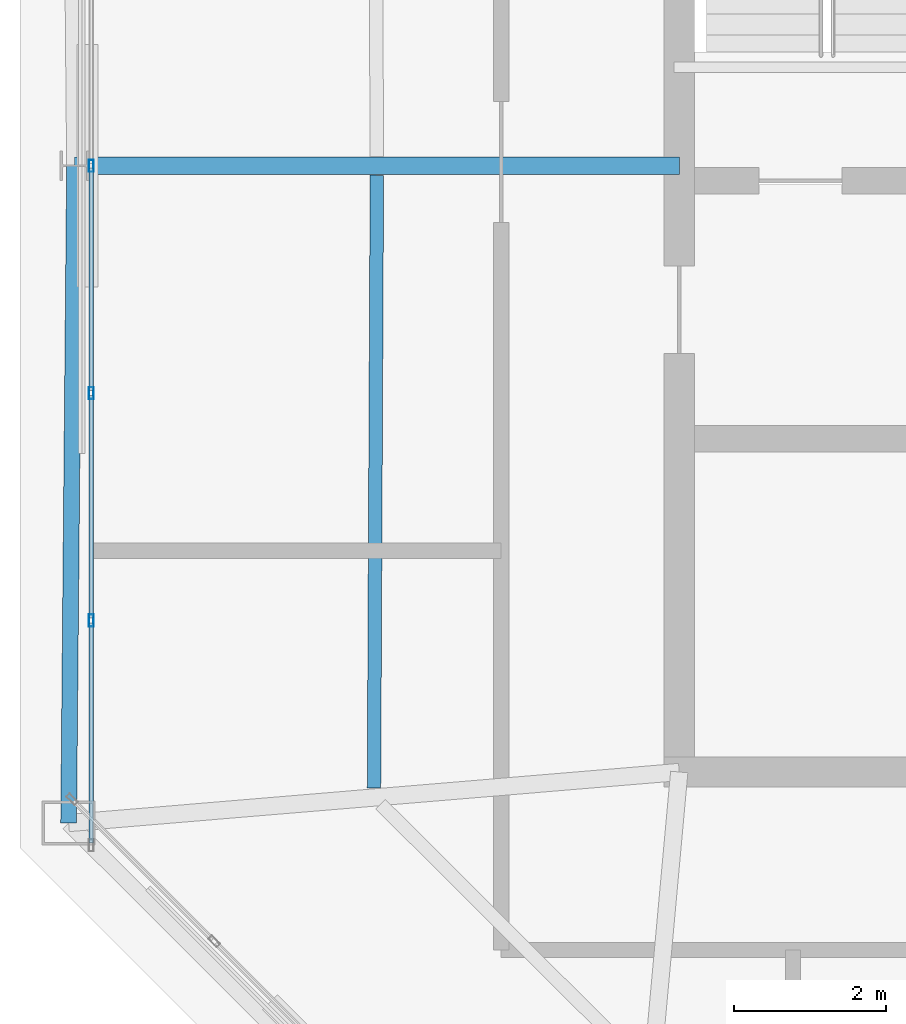
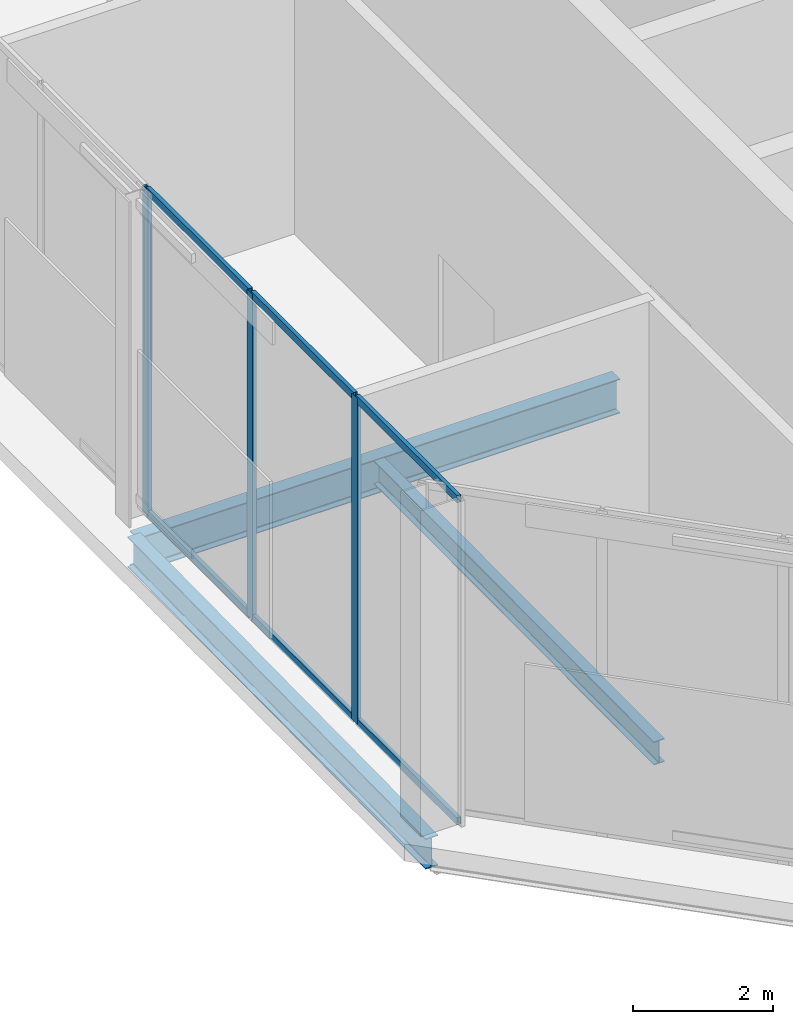
# One storey, part 4 of 20: 9 members, 3 beams, 1 element without a shape of its own.
"""IFC4 building model written with IfcOpenShell, lengths in metres."""

import ifcopenshell
import ifcopenshell.guid

model = None  # the IFC model being written
_history = None  # IfcOwnerHistory: only IFC2X3 demands one
_inside = {}  # id of a spatial element -> (the spatial element, [elements in it])
_under = {}  # id of a project, library or spatial element -> (it, [spatial elements below it])
_declared = {}  # id of a project -> (the project, [libraries it declares])
_typed = {}  # id of a type object -> (the type object, [elements of that type])
_made_of = {}  # id of a material, layer set ... -> (it, [elements and type objects made of it])


def new_model(schema):
    """Start an empty IFC model of exactly this schema.

    Asked for "IFC4X3", IfcOpenShell would pick the latest addendum, in which some entities
    have other attributes; the version numbers below select the first issue.
    IFC2X3 requires an IfcOwnerHistory on every rooted entity: one is made here for all.
    """
    global model, _history
    if schema == "IFC4X3":
        model = ifcopenshell.file(schema_version=(4, 3, 0, 0))
    else:
        model = ifcopenshell.file(schema=schema)
    _inside.clear()
    _under.clear()
    _declared.clear()
    _typed.clear()
    _made_of.clear()
    _history = None
    if model.schema == "IFC2X3":
        org = make("IfcOrganization", Name="unknown")
        user = make(
            "IfcPersonAndOrganization",
            ThePerson=make("IfcPerson", FamilyName="unknown"),
            TheOrganization=org,
        )
        app = make(
            "IfcApplication",
            ApplicationDeveloper=org,
            Version="unknown",
            ApplicationFullName="unknown",
            ApplicationIdentifier="unknown",
        )
        _history = make(
            "IfcOwnerHistory",
            OwningUser=user,
            OwningApplication=app,
            ChangeAction="ADDED",
            CreationDate=0,
        )
    return model


def make(cls, **values):
    """One entity of the class cls with the attributes given. An attribute that is None is left unset."""
    return model.create_entity(
        cls, **{name: value for name, value in values.items() if value is not None}
    )


def rooted(cls, **values):
    """An entity with a GlobalId (a new one), such as an element, a storey or a relation."""
    return make(cls, GlobalId=ifcopenshell.guid.new(), OwnerHistory=_history, **values)


def si_unit(unit_type, name, prefix=None):
    """IfcSIUnit, for example si_unit("LENGTHUNIT", "METRE", prefix="MILLI")."""
    return make("IfcSIUnit", UnitType=unit_type, Prefix=prefix, Name=name)


def assignment(units):
    """IfcUnitAssignment: the units of a project."""
    return None if units is None else make("IfcUnitAssignment", Units=units)


def point(xyz):
    """IfcCartesianPoint."""
    return None if xyz is None else make("IfcCartesianPoint", Coordinates=xyz)


def direction(xyz):
    """IfcDirection."""
    return None if xyz is None else make("IfcDirection", DirectionRatios=xyz)


def frame(location, z_axis=None, x_axis=None):
    """IfcAxis2Placement3D, a coordinate frame: its origin and axes. An axis left out is left unset."""
    return make(
        "IfcAxis2Placement3D",
        Location=point(location),
        Axis=direction(z_axis),
        RefDirection=direction(x_axis),
    )


def frame_2d(location, x_axis=None):
    """IfcAxis2Placement2D, a coordinate frame in the plane: its origin and x axis."""
    return make(
        "IfcAxis2Placement2D", Location=point(location), RefDirection=direction(x_axis)
    )


def origin():
    """The frame at (0, 0, 0) with its axes left unset."""
    return frame((0.0, 0.0, 0.0))


def origin_2d():
    """The frame at (0, 0) in the plane with its x axis left unset."""
    return frame_2d((0.0, 0.0))


def place(relative_to, where):
    """IfcLocalPlacement: puts the frame where relative to a parent placement (None: the world)."""
    return make(
        "IfcLocalPlacement", PlacementRelTo=relative_to, RelativePlacement=where
    )


def context(
    kind, dimensions, precision=None, world=None, true_north=None, identifier=None
):
    """IfcGeometricRepresentationContext, for example the 3D "Model" context."""
    return make(
        "IfcGeometricRepresentationContext",
        ContextIdentifier=identifier,
        ContextType=kind,
        CoordinateSpaceDimension=dimensions,
        Precision=precision,
        WorldCoordinateSystem=world,
        TrueNorth=true_north,
    )


def subcontext(parent, identifier, kind, view, scale=None):
    """IfcGeometricRepresentationSubContext, for example "Body" below "Model"."""
    return make(
        "IfcGeometricRepresentationSubContext",
        ContextIdentifier=identifier,
        ContextType=kind,
        ParentContext=parent,
        TargetScale=scale,
        TargetView=view,
    )


def project(units=None, contexts=None):
    """IfcProject with its units and contexts."""
    return rooted(
        "IfcProject",
        Name="project",
        RepresentationContexts=contexts,
        UnitsInContext=assignment(units),
    )


def spatial(cls, under=None, at=None, **own):
    """A site, building, storey or space (cls), placed at a placement, below another one or the project."""
    s = rooted(cls, ObjectPlacement=at, **own)
    if under is not None:
        _under.setdefault(under.id(), (under, []))[1].append(s)
    return s


def profile(cls, at=None, kind="AREA", **sizes):
    """A parametric profile (cls). Its sizes go by their IFC names, for example OverallWidth=200.0."""
    return make(cls, ProfileType=kind, Position=at, **sizes)


def hollow_rectangle(**sizes):
    """IfcRectangleHollowProfileDef."""
    return profile("IfcRectangleHollowProfileDef", **sizes)


def i_section(**sizes):
    """IfcIShapeProfileDef."""
    return profile("IfcIShapeProfileDef", **sizes)


def extrude(swept, where, along, depth):
    """IfcExtrudedAreaSolid: the profile swept, set in the frame where, extruded along a direction by depth."""
    return make(
        "IfcExtrudedAreaSolid",
        SweptArea=swept,
        Position=where,
        ExtrudedDirection=direction(along),
        Depth=depth,
    )


def shape(context_of_items, identifier, shape_type, items):
    """IfcShapeRepresentation: the items that make up one representation, for example the "Body"."""
    return make(
        "IfcShapeRepresentation",
        ContextOfItems=context_of_items,
        RepresentationIdentifier=identifier,
        RepresentationType=shape_type,
        Items=items,
    )


def material(Name=None, Category=None):
    """IfcMaterial."""
    return make("IfcMaterial", Name=Name, Category=Category)


def layer(
    of_material, thickness, ventilated=None, Name=None, Category=None, Priority=None
):
    """IfcMaterialLayer: one layer of a wall or slab, of a material (None: an air gap)."""
    return make(
        "IfcMaterialLayer",
        Material=of_material,
        LayerThickness=thickness,
        IsVentilated=ventilated,
        Name=Name,
        Category=Category,
        Priority=Priority,
    )


def layer_set(layers, Name=None):
    """IfcMaterialLayerSet."""
    return make("IfcMaterialLayerSet", MaterialLayers=layers, LayerSetName=Name)


def material_profile(
    of_material, cross_section, Name=None, Category=None, Priority=None
):
    """IfcMaterialProfile: a cross section and its material."""
    return make(
        "IfcMaterialProfile",
        Name=Name,
        Material=of_material,
        Profile=cross_section,
        Priority=Priority,
        Category=Category,
    )


def profile_set(profiles, Name=None, composite=None):
    """IfcMaterialProfileSet."""
    return make(
        "IfcMaterialProfileSet",
        Name=Name,
        MaterialProfiles=profiles,
        CompositeProfile=composite,
    )


def made_of(thing, what):
    """Note that an element or type object is made of a material, layer set ...; save() writes the relation."""
    if what is not None:
        _made_of.setdefault(what.id(), (what, []))[1].append(thing)
    return thing


def type_object(cls, material=None, **own):
    """A type object (cls), such as IfcWallType, which elements share."""
    return made_of(rooted(cls, **own), material)


def element(
    cls,
    number,
    at=None,
    inside=None,
    cuts=None,
    type_object=None,
    material=None,
    context=None,
    identifier="Body",
    shape_type=None,
    held_by="IfcProductDefinitionShape",
    body=None,
    shapes=None,
    **own,
):
    """One element of the class cls, such as IfcWall. Its Tag is "e" and its number.

    at: its placement. inside: the storey or other place that contains it. cuts: it is an
    opening in that element (IfcRelVoidsElement). A single representation is given by context,
    identifier, shape_type and body (its items); several are given by shapes. held_by: the class
    of the entity that holds the representations. save() writes the other relations.
    """
    e = rooted(cls, Tag="e%d" % number, ObjectPlacement=at, **own)
    if body is not None:
        shapes = [shape(context, identifier, shape_type, body)]
    if shapes is not None:
        e.Representation = make(held_by, Representations=shapes)
    if inside is not None:
        _inside.setdefault(inside.id(), (inside, []))[1].append(e)
    if cuts is not None:
        rooted(
            "IfcRelVoidsElement", RelatingBuildingElement=cuts, RelatedOpeningElement=e
        )
    if type_object is not None:
        _typed.setdefault(type_object.id(), (type_object, []))[1].append(e)
    return made_of(e, material)


def aggregate(whole, parts):
    """IfcRelAggregates: a whole, such as a stair, and the parts it consists of."""
    return rooted("IfcRelAggregates", RelatingObject=whole, RelatedObjects=parts)


def save(model, path):
    """Write the relations noted so far, then the file.

    IfcRelAggregates (storeys below a building ...), IfcRelContainedInSpatialStructure (elements
    in a storey), IfcRelDefinesByType, IfcRelAssociatesMaterial and IfcRelDeclares: one each for
    every whole, place, type object, material and project.
    """
    for whole, parts in _under.values():
        aggregate(whole, parts)
    for where, things in _inside.values():
        rooted(
            "IfcRelContainedInSpatialStructure",
            RelatedElements=things,
            RelatingStructure=where,
        )
    for kind, things in _typed.values():
        rooted("IfcRelDefinesByType", RelatedObjects=things, RelatingType=kind)
    for what, things in _made_of.values():
        rooted("IfcRelAssociatesMaterial", RelatedObjects=things, RelatingMaterial=what)
    for by, libraries in _declared.values():
        rooted("IfcRelDeclares", RelatingContext=by, RelatedDefinitions=libraries)
    model.write(path)


model = new_model("IFC4")

# Units and contexts
model_context = context("Model", 3, precision=1e-05, world=origin(), true_north=direction((0.0, 1.0)))
body_context = subcontext(model_context, "Body", "Model", "MODEL_VIEW")
ifc_project = project(units=[si_unit("LENGTHUNIT", "METRE"), si_unit("AREAUNIT", "SQUARE_METRE"), si_unit("VOLUMEUNIT", "CUBIC_METRE"), si_unit("PLANEANGLEUNIT", "RADIAN"), si_unit("MASSUNIT", "GRAM", prefix="KILO")], contexts=[model_context])

# Site, building, storey
site_placement = place(None, origin())
site = spatial("IfcSite", under=ifc_project, at=site_placement, CompositionType="ELEMENT")
building_placement = place(site_placement, origin())
building = spatial("IfcBuilding", under=site, at=building_placement, Name="Caelvoria Tower", CompositionType="ELEMENT")
storey_placement = place(building_placement, frame((0.0, 0.0, 284.199951171875)))
storey = spatial("IfcBuildingStorey", under=building, at=storey_placement, Name="C1", CompositionType="ELEMENT", Elevation=284.199951171875)

# Curtain wall, members
ifc_material_1 = material(Name="Anodised Bronze Aluminium and Low-E Glass", Category="aluminium")
ifc_layer = layer(ifc_material_1, 0.179931640625, Name="Anodised Bronze Aluminium and Low-E Glass")
ifc_layer_set = layer_set([ifc_layer], Name="CW System 6 Slanted Crown Bronze Screen Facade - Anodised Bronze Aluminium and Low-E Glass")
curtain_wall_type = type_object("IfcCurtainWallType", Name="CW System 6 Slanted Crown Bronze Screen Facade", PredefinedType="NOTDEFINED", material=ifc_layer_set)
curtain_wall_placement = place(storey_placement, origin())
curtain_wall = element("IfcCurtainWall", 1, at=curtain_wall_placement, inside=storey, type_object=curtain_wall_type, Name="CW-06 Curtain Wall C1-E6", PredefinedType="NOTDEFINED")
ifc_material_2 = material(Name="Anodised Bronze Architectural Aluminium", Category="aluminium")
ifc_material_profile_1 = material_profile(ifc_material_2, hollow_rectangle(XDim=0.06494140625, YDim=0.159912109375, WallThickness=0.00390625, at=origin_2d()), Name="Anodised Bronze Architectural Aluminium")
ifc_profile_set_1 = profile_set([ifc_material_profile_1], Name="CW_MULL_65X160 - Anodised Bronze Architectural Aluminium")
member_type_1 = type_object("IfcMemberType", Name="Curtain Wall Mullion 65x160 Bronze Aluminium", PredefinedType="MULLION", material=ifc_profile_set_1)
member_1_placement = place(storey_placement, frame((29.239990234375, 32.0, 0.0), z_axis=(0.0, 0.0, 1.0), x_axis=(1.0, 0.0, 0.0)))
member_1 = element("IfcMember", 2, at=member_1_placement, type_object=member_type_1, Name="CW-06 mullion 4", PredefinedType="MULLION", context=body_context, shape_type="SweptSolid", body=[
    extrude(hollow_rectangle(XDim=0.06494140625, YDim=0.159912109375, WallThickness=0.00390625, at=origin_2d()), origin(), (0.0, 0.0, 1.0), 5.699951171875),
])
member_2_placement = place(storey_placement, frame((29.239990234375, 29.0, 0.0), z_axis=(0.0, 0.0, 1.0), x_axis=(1.0, 0.0, 0.0)))
member_2 = element("IfcMember", 3, at=member_2_placement, type_object=member_type_1, Name="CW-06 mullion 5", PredefinedType="MULLION", context=body_context, shape_type="SweptSolid", body=[
    extrude(hollow_rectangle(XDim=0.06494140625, YDim=0.159912109375, WallThickness=0.00390625, at=origin_2d()), origin(), (0.0, 0.0, 1.0), 5.699951171875),
])
member_3_placement = place(storey_placement, frame((29.239990234375, 26.0, 0.0), z_axis=(0.0, 0.0, 1.0), x_axis=(1.0, 0.0, 0.0)))
member_3 = element("IfcMember", 4, at=member_3_placement, type_object=member_type_1, Name="CW-06 mullion 6", PredefinedType="MULLION", context=body_context, shape_type="SweptSolid", body=[
    extrude(hollow_rectangle(XDim=0.06494140625, YDim=0.159912109375, WallThickness=0.00390625, at=origin_2d()), origin(), (0.0, 0.0, 1.0), 5.699951171875),
])
ifc_material_profile_2 = material_profile(ifc_material_2, hollow_rectangle(XDim=0.06494140625, YDim=0.1298828125, WallThickness=0.00341796875, at=origin_2d()), Name="Anodised Bronze Architectural Aluminium")
ifc_profile_set_2 = profile_set([ifc_material_profile_2], Name="CW_TRAN_65X130 - Anodised Bronze Architectural Aluminium")
member_type_2 = type_object("IfcMemberType", Name="Curtain Wall Transom 65x130 Bronze Aluminium", PredefinedType="USERDEFINED", material=ifc_profile_set_2)
member_4_placement = place(storey_placement, frame((29.239990234375, 31.967529296875, 0.032470703125), z_axis=(0.0, -1.0, 0.0), x_axis=(1.0, 0.0, 0.0)))
member_4 = element("IfcMember", 5, at=member_4_placement, type_object=member_type_2, Name="CW-06 transom 4.1", ObjectType="TRANSOM", PredefinedType="USERDEFINED", context=body_context, shape_type="SweptSolid", body=[
    extrude(hollow_rectangle(XDim=0.06494140625, YDim=0.1298828125, WallThickness=0.00341796875, at=origin_2d()), origin(), (0.0, 0.0, 1.0), 2.93505859375),
])
member_5_placement = place(storey_placement, frame((29.239990234375, 31.967529296875, 5.66748046875), z_axis=(0.0, -1.0, 0.0), x_axis=(1.0, 0.0, 0.0)))
member_5 = element("IfcMember", 6, at=member_5_placement, type_object=member_type_2, Name="CW-06 transom 4.2", ObjectType="TRANSOM", PredefinedType="USERDEFINED", context=body_context, shape_type="SweptSolid", body=[
    extrude(hollow_rectangle(XDim=0.06494140625, YDim=0.1298828125, WallThickness=0.00341796875, at=origin_2d()), origin(), (0.0, 0.0, 1.0), 2.93505859375),
])
member_6_placement = place(storey_placement, frame((29.239990234375, 28.967529296875, 0.032470703125), z_axis=(0.0, -1.0, 0.0), x_axis=(1.0, 0.0, 0.0)))
member_6 = element("IfcMember", 7, at=member_6_placement, type_object=member_type_2, Name="CW-06 transom 5.1", ObjectType="TRANSOM", PredefinedType="USERDEFINED", context=body_context, shape_type="SweptSolid", body=[
    extrude(hollow_rectangle(XDim=0.06494140625, YDim=0.1298828125, WallThickness=0.00341796875, at=origin_2d()), origin(), (0.0, 0.0, 1.0), 2.93505859375),
])
member_7_placement = place(storey_placement, frame((29.239990234375, 28.967529296875, 5.66748046875), z_axis=(0.0, -1.0, 0.0), x_axis=(1.0, 0.0, 0.0)))
member_7 = element("IfcMember", 8, at=member_7_placement, type_object=member_type_2, Name="CW-06 transom 5.2", ObjectType="TRANSOM", PredefinedType="USERDEFINED", context=body_context, shape_type="SweptSolid", body=[
    extrude(hollow_rectangle(XDim=0.06494140625, YDim=0.1298828125, WallThickness=0.00341796875, at=origin_2d()), origin(), (0.0, 0.0, 1.0), 2.93505859375),
])
member_8_placement = place(storey_placement, frame((29.239990234375, 25.967529296875, 0.032470703125), z_axis=(0.0, -1.0, 0.0), x_axis=(1.0, 0.0, 0.0)))
member_8 = element("IfcMember", 9, at=member_8_placement, type_object=member_type_2, Name="CW-06 transom 6.1", ObjectType="TRANSOM", PredefinedType="USERDEFINED", context=body_context, shape_type="SweptSolid", body=[
    extrude(hollow_rectangle(XDim=0.06494140625, YDim=0.1298828125, WallThickness=0.00341796875, at=origin_2d()), origin(), (0.0, 0.0, 1.0), 2.902587890625),
])
member_9_placement = place(storey_placement, frame((29.239990234375, 25.967529296875, 5.66748046875), z_axis=(0.0, -1.0, 0.0), x_axis=(1.0, 0.0, 0.0)))
member_9 = element("IfcMember", 10, at=member_9_placement, type_object=member_type_2, Name="CW-06 transom 6.2", ObjectType="TRANSOM", PredefinedType="USERDEFINED", context=body_context, shape_type="SweptSolid", body=[
    extrude(hollow_rectangle(XDim=0.06494140625, YDim=0.1298828125, WallThickness=0.00341796875, at=origin_2d()), origin(), (0.0, 0.0, 1.0), 2.902587890625),
])
aggregate(curtain_wall, [member_1, member_2, member_3, member_4, member_5, member_6, member_7, member_8, member_9])

# Beams
ifc_material_3 = material(Name="Structural Steel ASTM A992 Gr.50", Category="steel")
ifc_material_profile_3 = material_profile(ifc_material_3, i_section(OverallWidth=0.22802734375, OverallDepth=0.60302734375, WebThickness=0.010498046875, FlangeThickness=0.014892578125, FilletRadius=0.01806640625, at=origin_2d()), Name="Structural Steel ASTM A992 Gr.50")
ifc_profile_set_3 = profile_set([ifc_material_profile_3], Name="W610X101 - Structural Steel ASTM A992 Gr.50")
beam_type_1 = type_object("IfcBeamType", Name="Primary Floor Girder W610X101", PredefinedType="BEAM", material=ifc_profile_set_3)
beam_1_placement = place(storey_placement, frame((37.0, 32.0, -0.6015625), z_axis=(-1.0, 0.0, 0.0), x_axis=(0.0, -1.0, 0.0)))
element("IfcBeam", 11, at=beam_1_placement, inside=storey, type_object=beam_type_1, Name="Primary Floor Girder C1-10", PredefinedType="BEAM", context=body_context, shape_type="SweptSolid", body=[
    extrude(i_section(OverallWidth=0.22802734375, OverallDepth=0.60302734375, WebThickness=0.010498046875, FlangeThickness=0.014892578125, FilletRadius=0.01806640625, at=origin_2d()), origin(), (0.0, 0.0, 1.0), 7.97998046875),
])
ifc_material_profile_4 = material_profile(ifc_material_3, i_section(OverallWidth=0.177978515625, OverallDepth=0.406982421875, WebThickness=0.0078125, FlangeThickness=0.0126953125, FilletRadius=0.013916015625, at=origin_2d()), Name="Structural Steel ASTM A992 Gr.50")
ifc_profile_set_4 = profile_set([ifc_material_profile_4], Name="W410X60 - Structural Steel ASTM A992 Gr.50")
beam_type_2 = type_object("IfcBeamType", Name="Secondary Floor Beam W410X60", PredefinedType="BEAM", material=ifc_profile_set_4)
beam_2_placement = place(storey_placement, frame((33.009521484375, 31.875, -0.50341796875), z_axis=(-0.00470952391, -0.999988910131, 0.0), x_axis=(0.999988910131, -0.00470952391, 0.0)))
element("IfcBeam", 12, at=beam_2_placement, inside=storey, type_object=beam_type_2, Name="Secondary Floor Beam C1-10", PredefinedType="BEAM", context=body_context, shape_type="SweptSolid", body=[
    extrude(i_section(OverallWidth=0.177978515625, OverallDepth=0.406982421875, WebThickness=0.0078125, FlangeThickness=0.0126953125, FilletRadius=0.013916015625, at=origin_2d()), origin(), (0.0, 0.0, 1.0), 8.0869140625),
])
ifc_material_profile_5 = material_profile(ifc_material_3, i_section(OverallWidth=0.208984375, OverallDepth=0.532958984375, WebThickness=0.01025390625, FlangeThickness=0.015625, FilletRadius=0.01611328125, at=origin_2d()), Name="Structural Steel ASTM A992 Gr.50")
ifc_profile_set_5 = profile_set([ifc_material_profile_5], Name="W530X92 - Structural Steel ASTM A992 Gr.50")
beam_type_3 = type_object("IfcBeamType", Name="Upper Zone Spandrel W530X92", PredefinedType="BEAM", material=ifc_profile_set_5)
beam_3_placement = place(storey_placement, frame((29.02001953125, 32.0, -0.56640625), z_axis=(-0.009006868577, -0.999959437337, 0.0), x_axis=(0.999959437337, -0.009006868577, 0.0)))
element("IfcBeam", 13, at=beam_3_placement, inside=storey, type_object=beam_type_3, Name="Perimeter Spandrel Girder C1-10", PredefinedType="BEAM", context=body_context, shape_type="SweptSolid", body=[
    extrude(i_section(OverallWidth=0.208984375, OverallDepth=0.532958984375, WebThickness=0.01025390625, FlangeThickness=0.015625, FilletRadius=0.01611328125, at=origin_2d()), origin(), (0.0, 0.0, 1.0), 8.673828125),
])

save(model, "model.ifc")
